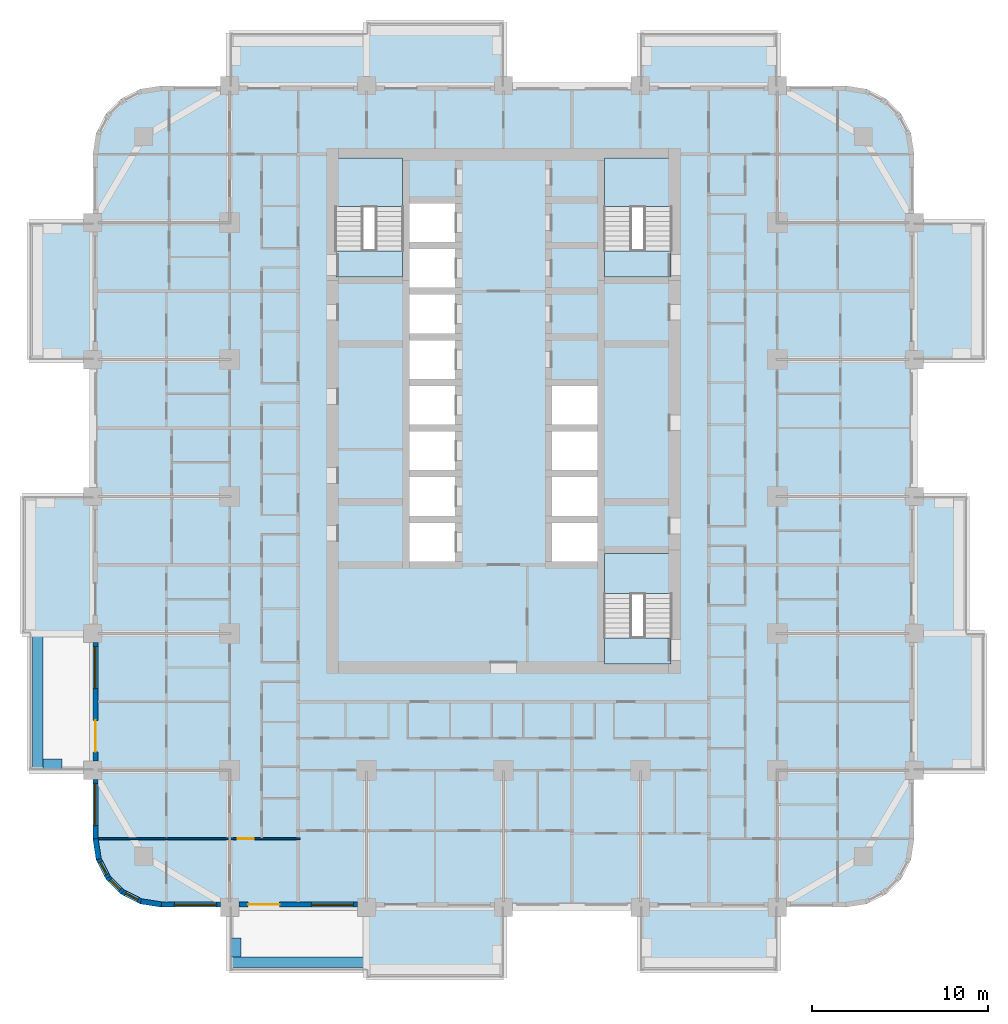
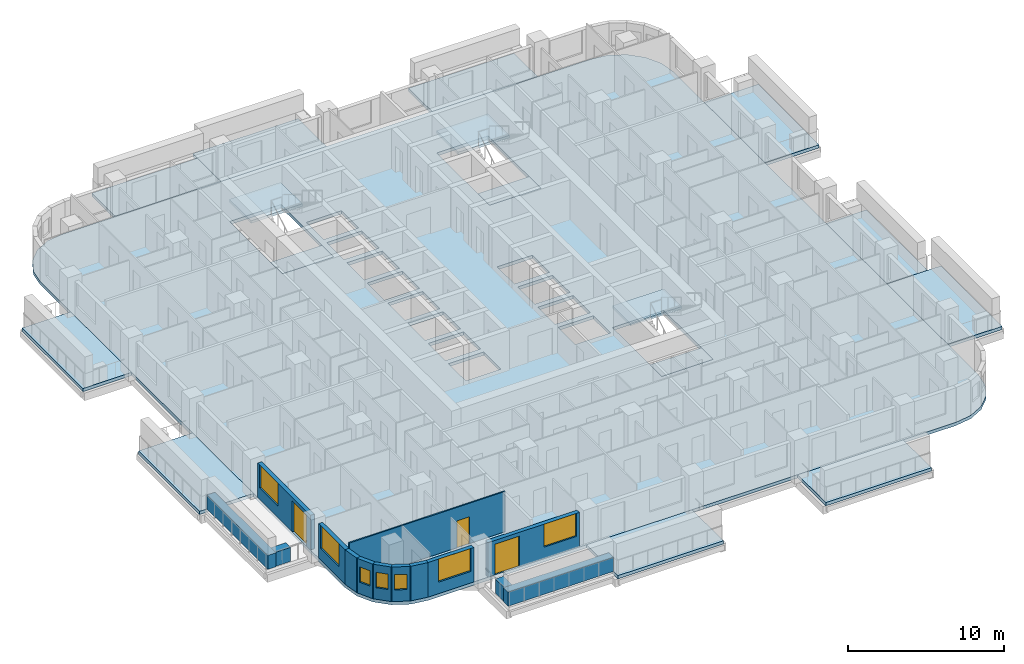
# One storey, part 2 of 17: 17 slabs, 14 walls, 7 windows, 3 doors, 10 openings, 3 elements without a shape of their own.
"""IFC4 building model written with IfcOpenShell, lengths in metres."""

from ifc_helpers import new_model, si_unit, direction, frame, frame_2d, origin, place, context, subcontext, project, spatial, polyline, rectangle, outline, extrude, material, layer, layer_set, type_object, element, fill, aggregate, save


model = new_model("IFC4")

# Units and contexts
model_context = context("Model", 3, precision=1e-05, world=origin(), true_north=direction((0.0, 1.0)))
body_context = subcontext(model_context, "Body", "Model", "MODEL_VIEW")
ifc_project = project(units=[si_unit("LENGTHUNIT", "METRE"), si_unit("AREAUNIT", "SQUARE_METRE"), si_unit("VOLUMEUNIT", "CUBIC_METRE"), si_unit("PLANEANGLEUNIT", "RADIAN"), si_unit("MASSUNIT", "GRAM", prefix="KILO")], contexts=[model_context])

# Site, building, storey
site_placement = place(None, origin())
site = spatial("IfcSite", under=ifc_project, at=site_placement, CompositionType="ELEMENT")
building_placement = place(site_placement, origin())
building = spatial("IfcBuilding", under=site, at=building_placement, Name="Ludao Terraces", CompositionType="ELEMENT")
storey_placement = place(building_placement, frame((0.0, 0.0, 22.89990234375)))
storey = spatial("IfcBuildingStorey", under=building, at=storey_placement, Name="L05", CompositionType="ELEMENT", Elevation=22.89990234375)

# Slabs
ifc_material_1 = material(Name="Concrete C40", Category="concrete")
ifc_layer_1 = layer(ifc_material_1, 0.25)
ifc_layer_set_1 = layer_set([ifc_layer_1], Name="Balcony slab 250 C40")
slab_type_1 = type_object("IfcSlabType", Name="Balcony slab 250 C40", PredefinedType="USERDEFINED", material=ifc_layer_set_1)
slab_1_placement = place(storey_placement, frame((0.0, 0.0, -0.25)))
element("IfcSlab", 1, at=slab_1_placement, inside=storey, type_object=slab_type_1, Name="Balcony L05 S2", ObjectType="BALCONY", PredefinedType="USERDEFINED", context=body_context, shape_type="SweptSolid", body=[
    extrude(outline(polyline([(77.199951171875, 37.60009765625), (85.0, 37.60009765625), (85.0, 41.60009765625), (77.199951171875, 41.60009765625), (77.199951171875, 37.60009765625)])), origin(), (0.0, 0.0, 1.0), 0.25),
])
slab_2_placement = place(storey_placement, frame((0.0, 0.0, -0.25)))
element("IfcSlab", 2, at=slab_2_placement, inside=storey, type_object=slab_type_1, Name="Balcony L05 S4", ObjectType="BALCONY", PredefinedType="USERDEFINED", context=body_context, shape_type="SweptSolid", body=[
    extrude(outline(polyline([(92.800048828125, 38.0), (100.60009765625, 38.0), (100.60009765625, 41.60009765625), (92.800048828125, 41.60009765625), (92.800048828125, 38.0)])), origin(), (0.0, 0.0, 1.0), 0.25),
])
slab_3_placement = place(storey_placement, frame((0.0, 0.0, -0.25)))
element("IfcSlab", 3, at=slab_3_placement, inside=storey, type_object=slab_type_1, Name="Balcony L05 E1", ObjectType="BALCONY", PredefinedType="USERDEFINED", context=body_context, shape_type="SweptSolid", body=[
    extrude(outline(polyline([(108.39990234375, 49.39990234375), (112.39990234375, 49.39990234375), (112.39990234375, 57.199951171875), (108.39990234375, 57.199951171875), (108.39990234375, 49.39990234375)])), origin(), (0.0, 0.0, 1.0), 0.25),
])
slab_4_placement = place(storey_placement, frame((0.0, 0.0, -0.25)))
element("IfcSlab", 4, at=slab_4_placement, inside=storey, type_object=slab_type_1, Name="Balcony L05 E2", ObjectType="BALCONY", PredefinedType="USERDEFINED", context=body_context, shape_type="SweptSolid", body=[
    extrude(outline(polyline([(108.39990234375, 57.199951171875), (111.39990234375, 57.199951171875), (111.39990234375, 65.0), (108.39990234375, 65.0), (108.39990234375, 57.199951171875)])), origin(), (0.0, 0.0, 1.0), 0.25),
])
slab_5_placement = place(storey_placement, frame((0.0, 0.0, -0.25)))
element("IfcSlab", 5, at=slab_5_placement, inside=storey, type_object=slab_type_1, Name="Balcony L05 E4", ObjectType="BALCONY", PredefinedType="USERDEFINED", context=body_context, shape_type="SweptSolid", body=[
    extrude(outline(polyline([(108.39990234375, 72.800048828125), (112.39990234375, 72.800048828125), (112.39990234375, 80.60009765625), (108.39990234375, 80.60009765625), (108.39990234375, 72.800048828125)])), origin(), (0.0, 0.0, 1.0), 0.25),
])
slab_6_placement = place(storey_placement, frame((0.0, 0.0, -0.25)))
element("IfcSlab", 6, at=slab_6_placement, inside=storey, type_object=slab_type_1, Name="Balcony L05 N1", ObjectType="BALCONY", PredefinedType="USERDEFINED", context=body_context, shape_type="SweptSolid", body=[
    extrude(outline(polyline([(69.39990234375, 88.39990234375), (77.199951171875, 88.39990234375), (77.199951171875, 91.39990234375), (69.39990234375, 91.39990234375), (69.39990234375, 88.39990234375)])), origin(), (0.0, 0.0, 1.0), 0.25),
])
slab_7_placement = place(storey_placement, frame((0.0, 0.0, -0.25)))
element("IfcSlab", 7, at=slab_7_placement, inside=storey, type_object=slab_type_1, Name="Balcony L05 N2", ObjectType="BALCONY", PredefinedType="USERDEFINED", context=body_context, shape_type="SweptSolid", body=[
    extrude(outline(polyline([(77.199951171875, 88.39990234375), (85.0, 88.39990234375), (85.0, 92.0), (77.199951171875, 92.0), (77.199951171875, 88.39990234375)])), origin(), (0.0, 0.0, 1.0), 0.25),
])
slab_8_placement = place(storey_placement, frame((0.0, 0.0, -0.25)))
element("IfcSlab", 8, at=slab_8_placement, inside=storey, type_object=slab_type_1, Name="Balcony L05 N4", ObjectType="BALCONY", PredefinedType="USERDEFINED", context=body_context, shape_type="SweptSolid", body=[
    extrude(outline(polyline([(92.800048828125, 88.39990234375), (100.60009765625, 88.39990234375), (100.60009765625, 91.39990234375), (92.800048828125, 91.39990234375), (92.800048828125, 88.39990234375)])), origin(), (0.0, 0.0, 1.0), 0.25),
])
slab_9_placement = place(storey_placement, frame((0.0, 0.0, -0.25)))
element("IfcSlab", 9, at=slab_9_placement, inside=storey, type_object=slab_type_1, Name="Balcony L05 W2", ObjectType="BALCONY", PredefinedType="USERDEFINED", context=body_context, shape_type="SweptSolid", body=[
    extrude(outline(polyline([(57.60009765625, 57.199951171875), (61.60009765625, 57.199951171875), (61.60009765625, 65.0), (57.60009765625, 65.0), (57.60009765625, 57.199951171875)])), origin(), (0.0, 0.0, 1.0), 0.25),
])
slab_10_placement = place(storey_placement, frame((0.0, 0.0, -0.25)))
element("IfcSlab", 10, at=slab_10_placement, inside=storey, type_object=slab_type_1, Name="Balcony L05 W4", ObjectType="BALCONY", PredefinedType="USERDEFINED", context=body_context, shape_type="SweptSolid", body=[
    extrude(outline(polyline([(58.0, 72.800048828125), (61.60009765625, 72.800048828125), (61.60009765625, 80.60009765625), (58.0, 80.60009765625), (58.0, 72.800048828125)])), origin(), (0.0, 0.0, 1.0), 0.25),
])
ifc_layer_2 = layer(ifc_material_1, 0.25)
ifc_layer_set_2 = layer_set([ifc_layer_2], Name="Floor slab 250 C40")
slab_type_2 = type_object("IfcSlabType", Name="Floor slab 250 C40", PredefinedType="FLOOR", material=ifc_layer_set_2)
slab_11_placement = place(storey_placement, frame((0.0, 0.0, -0.25)))
element("IfcSlab", 11, at=slab_11_placement, inside=storey, type_object=slab_type_2, Name="Slab L05", PredefinedType="FLOOR", context=body_context, shape_type="SweptSolid", body=[
    extrude(outline(polyline([(104.5, 41.60009765625), (105.705078125, 41.790771484375), (106.79248046875, 42.3447265625), (107.6552734375, 43.20751953125), (108.209228515625, 44.294921875), (108.39990234375, 45.5), (108.39990234375, 84.5), (108.209228515625, 85.705078125), (107.6552734375, 86.79248046875), (106.79248046875, 87.6552734375), (105.705078125, 88.209228515625), (104.5, 88.39990234375), (65.5, 88.39990234375), (64.294921875, 88.209228515625), (63.20751953125, 87.6552734375), (62.3447265625, 86.79248046875), (61.790771484375, 85.705078125), (61.60009765625, 84.5), (61.60009765625, 45.5), (61.790771484375, 44.294921875), (62.3447265625, 43.20751953125), (63.20751953125, 42.3447265625), (64.294921875, 41.790771484375), (65.5, 41.60009765625), (104.5, 41.60009765625)]), holes=[polyline([(79.64990234375, 61.300048828125), (82.25, 61.300048828125), (82.25, 63.5), (79.64990234375, 63.5), (79.64990234375, 61.300048828125)]), polyline([(79.64990234375, 63.89990234375), (82.25, 63.89990234375), (82.25, 66.10009765625), (79.64990234375, 66.10009765625), (79.64990234375, 63.89990234375)]), polyline([(79.64990234375, 66.5), (82.25, 66.5), (82.25, 68.699951171875), (79.64990234375, 68.699951171875), (79.64990234375, 66.5)]), polyline([(79.64990234375, 69.10009765625), (82.25, 69.10009765625), (82.25, 71.300048828125), (79.64990234375, 71.300048828125), (79.64990234375, 69.10009765625)]), polyline([(79.64990234375, 71.699951171875), (82.25, 71.699951171875), (82.25, 73.89990234375), (79.64990234375, 73.89990234375), (79.64990234375, 71.699951171875)]), polyline([(79.64990234375, 74.300048828125), (82.25, 74.300048828125), (82.25, 76.5), (79.64990234375, 76.5), (79.64990234375, 74.300048828125)]), polyline([(79.64990234375, 76.89990234375), (82.25, 76.89990234375), (82.25, 79.10009765625), (79.64990234375, 79.10009765625), (79.64990234375, 76.89990234375)]), polyline([(79.64990234375, 79.5), (82.25, 79.5), (82.25, 81.699951171875), (79.64990234375, 81.699951171875), (79.64990234375, 79.5)]), polyline([(87.75, 61.300048828125), (90.35009765625, 61.300048828125), (90.35009765625, 63.5), (87.75, 63.5), (87.75, 61.300048828125)]), polyline([(87.75, 63.89990234375), (90.35009765625, 63.89990234375), (90.35009765625, 66.10009765625), (87.75, 66.10009765625), (87.75, 63.89990234375)]), polyline([(87.75, 66.5), (90.35009765625, 66.5), (90.35009765625, 68.699951171875), (87.75, 68.699951171875), (87.75, 66.5)]), polyline([(87.75, 69.10009765625), (90.35009765625, 69.10009765625), (90.35009765625, 71.300048828125), (87.75, 71.300048828125), (87.75, 69.10009765625)]), polyline([(75.449951171875, 77.5), (79.25, 77.5), (79.25, 84.239990234375), (75.449951171875, 84.239990234375), (75.449951171875, 77.5)]), polyline([(90.75, 77.5), (94.550048828125, 77.5), (94.550048828125, 84.239990234375), (90.75, 84.239990234375), (90.75, 77.5)]), polyline([(90.75, 55.449951171875), (94.550048828125, 55.449951171875), (94.550048828125, 61.75), (90.75, 61.75), (90.75, 55.449951171875)])]), origin(), (0.0, 0.0, 1.0), 0.25),
])

# Stair, slabs
stair_type = type_object("IfcStairType", Name="INT Stair", PredefinedType="HALF_TURN_STAIR", material=ifc_material_1)
stair_1_placement = place(storey_placement, origin())
stair_1 = element("IfcStair", 12, at=stair_1_placement, inside=storey, type_object=stair_type, Name="EXIT STAIR 1", PredefinedType="HALF_TURN_STAIR")
ifc_layer_3 = layer(ifc_material_1, 0.199951171875)
ifc_layer_set_3 = layer_set([ifc_layer_3], Name="INT Stair landing 200")
slab_type_3 = type_object("IfcSlabType", Name="INT Stair landing 200", PredefinedType="LANDING", material=ifc_layer_set_3)
slab_12_placement = place(storey_placement, frame((0.0, 0.0, 1.5)))
slab_12 = element("IfcSlab", 13, at=slab_12_placement, type_object=slab_type_3, Name="ST1 landing 1", PredefinedType="LANDING", context=body_context, shape_type="SweptSolid", body=[
    extrude(outline(polyline([(75.449951171875, 81.52001953125), (79.25, 81.52001953125), (79.25, 84.300048828125), (75.449951171875, 84.300048828125), (75.449951171875, 81.52001953125)])), origin(), (0.0, 0.0, 1.0), 0.2001953125),
])
slab_13_placement = place(storey_placement, frame((0.0, 0.0, -0.199951171875)))
slab_13 = element("IfcSlab", 14, at=slab_13_placement, type_object=slab_type_3, Name="ST1 landing 2", PredefinedType="LANDING", context=body_context, shape_type="SweptSolid", body=[
    extrude(outline(polyline([(75.449951171875, 77.5), (79.25, 77.5), (79.25, 79.0), (75.449951171875, 79.0), (75.449951171875, 77.5)])), origin(), (0.0, 0.0, 1.0), 0.199951171875),
])
aggregate(stair_1, [slab_12, slab_13])

stair_2_placement = place(storey_placement, origin())
stair_2 = element("IfcStair", 15, at=stair_2_placement, inside=storey, type_object=stair_type, Name="EXIT STAIR 2", PredefinedType="HALF_TURN_STAIR")
slab_14_placement = place(storey_placement, frame((0.0, 0.0, 1.5)))
slab_14 = element("IfcSlab", 16, at=slab_14_placement, type_object=slab_type_3, Name="ST2 landing 1", PredefinedType="LANDING", context=body_context, shape_type="SweptSolid", body=[
    extrude(outline(polyline([(90.75, 81.52001953125), (94.550048828125, 81.52001953125), (94.550048828125, 84.300048828125), (90.75, 84.300048828125), (90.75, 81.52001953125)])), origin(), (0.0, 0.0, 1.0), 0.2001953125),
])
slab_15_placement = place(storey_placement, frame((0.0, 0.0, -0.199951171875)))
slab_15 = element("IfcSlab", 17, at=slab_15_placement, type_object=slab_type_3, Name="ST2 landing 2", PredefinedType="LANDING", context=body_context, shape_type="SweptSolid", body=[
    extrude(outline(polyline([(90.75, 77.5), (94.550048828125, 77.5), (94.550048828125, 79.0), (90.75, 79.0), (90.75, 77.5)])), origin(), (0.0, 0.0, 1.0), 0.199951171875),
])
aggregate(stair_2, [slab_14, slab_15])

stair_3_placement = place(storey_placement, origin())
stair_3 = element("IfcStair", 18, at=stair_3_placement, inside=storey, type_object=stair_type, Name="EXIT STAIR 3", PredefinedType="HALF_TURN_STAIR")
slab_16_placement = place(storey_placement, frame((0.0, 0.0, 1.5)))
slab_16 = element("IfcSlab", 19, at=slab_16_placement, type_object=slab_type_3, Name="ST3 landing 1", PredefinedType="LANDING", context=body_context, shape_type="SweptSolid", body=[
    extrude(outline(polyline([(90.75, 59.469970703125), (94.550048828125, 59.469970703125), (94.550048828125, 61.75), (90.75, 61.75), (90.75, 59.469970703125)])), origin(), (0.0, 0.0, 1.0), 0.2001953125),
])
slab_17_placement = place(storey_placement, frame((0.0, 0.0, -0.199951171875)))
slab_17 = element("IfcSlab", 20, at=slab_17_placement, type_object=slab_type_3, Name="ST3 landing 2", PredefinedType="LANDING", context=body_context, shape_type="SweptSolid", body=[
    extrude(outline(polyline([(90.75, 55.449951171875), (94.550048828125, 55.449951171875), (94.550048828125, 56.949951171875), (90.75, 56.949951171875), (90.75, 55.449951171875)])), origin(), (0.0, 0.0, 1.0), 0.199951171875),
])
aggregate(stair_3, [slab_16, slab_17])

# Walls
ifc_layer_4 = layer(ifc_material_1, 0.60009765625)
ifc_layer_set_4 = layer_set([ifc_layer_4], Name="ENV Planter trough 600")
wall_type_1 = type_object("IfcWallType", Name="ENV Planter trough 600", PredefinedType="USERDEFINED", material=ifc_layer_set_4)
wall_1_placement = place(storey_placement, frame((69.39990234375, 38.449951171875, 0.0), z_axis=(0.0, 0.0, 1.0), x_axis=(1.0, 0.0, 0.0)))
element("IfcWall", 21, at=wall_1_placement, inside=storey, type_object=wall_type_1, Name="PL-L05-S1", ObjectType="PLANTER", PredefinedType="USERDEFINED", context=body_context, shape_type="SweptSolid", body=[
    extrude(rectangle(XDim=7.800048828125, YDim=0.60009765625, at=frame_2d((3.89990234375, 0.0))), origin(), (0.0, 0.0, 1.0), 1.10009765625),
])
wall_2_placement = place(storey_placement, frame((69.75, 38.75, 0.0), z_axis=(0.0, 0.0, 1.0), x_axis=(0.0, 1.0, 0.0)))
element("IfcWall", 22, at=wall_2_placement, inside=storey, type_object=wall_type_1, Name="PL-L05-S1-SA", ObjectType="PLANTER", PredefinedType="USERDEFINED", context=body_context, shape_type="SweptSolid", body=[
    extrude(rectangle(XDim=1.10009765625, YDim=0.60009765625, at=frame_2d((0.550048828125, 0.0))), origin(), (0.0, 0.0, 1.0), 1.10009765625),
])
wall_3_placement = place(storey_placement, frame((58.449951171875, 49.39990234375, 0.0), z_axis=(0.0, 0.0, 1.0), x_axis=(0.0, 1.0, 0.0)))
element("IfcWall", 23, at=wall_3_placement, inside=storey, type_object=wall_type_1, Name="PL-L05-W1", ObjectType="PLANTER", PredefinedType="USERDEFINED", context=body_context, shape_type="SweptSolid", body=[
    extrude(rectangle(XDim=7.800048828125, YDim=0.60009765625, at=frame_2d((3.89990234375, 0.0))), origin(), (0.0, 0.0, 1.0), 1.10009765625),
])
wall_4_placement = place(storey_placement, frame((58.75, 49.75, 0.0), z_axis=(0.0, 0.0, 1.0), x_axis=(1.0, 0.0, 0.0)))
element("IfcWall", 24, at=wall_4_placement, inside=storey, type_object=wall_type_1, Name="PL-L05-W1-SA", ObjectType="PLANTER", PredefinedType="USERDEFINED", context=body_context, shape_type="SweptSolid", body=[
    extrude(rectangle(XDim=1.10009765625, YDim=0.60009765625, at=frame_2d((0.550048828125, 0.0))), origin(), (0.0, 0.0, 1.0), 1.10009765625),
])

# Wall, opening, window
ifc_material_2 = material(Name="Granite cladding", Category="masonry")
ifc_layer_5 = layer(ifc_material_2, 0.0400390625, Category="stone")
ifc_material_3 = material(Name="Mineral wool")
ifc_layer_6 = layer(ifc_material_3, 0.06005859375)
ifc_layer_7 = layer(ifc_material_1, 0.199951171875, Category="concrete")
ifc_layer_set_5 = layer_set([ifc_layer_5, ifc_layer_6, ifc_layer_7], Name="ENV Stone-clad wall 300")
wall_type_2 = type_object("IfcWallType", Name="ENV Stone-clad wall 300", PredefinedType="SOLIDWALL", material=ifc_layer_set_5)
wall_5_placement = place(storey_placement, frame((65.5, 41.75, 0.0), z_axis=(0.0, 0.0, 1.0), x_axis=(1.0, 0.0, 0.0)))
wall_5 = element("IfcWall", 25, at=wall_5_placement, inside=storey, type_object=wall_type_2, Name="EW-L05-S1", PredefinedType="SOLIDWALL", context=body_context, shape_type="SweptSolid", body=[
    extrude(rectangle(XDim=3.375, YDim=0.300048828125, at=frame_2d((1.6875, 0.0))), origin(), (0.0, 0.0, 1.0), 2.7001953125),
])
opening_1_placement = place(wall_5_placement, frame((0.75, 0.0, 0.89990234375)))
opening_1 = element("IfcOpeningElement", 26, at=opening_1_placement, cuts=wall_5, Name="Opening W1", PredefinedType="OPENING", context=body_context, shape_type="SweptSolid", body=[
    extrude(rectangle(XDim=2.39990234375, YDim=1.800048828125, at=frame_2d((1.199951171875, 0.89990234375))), frame((0.0, 0.16015625, 0.0), z_axis=(0.0, -1.0, 0.0), x_axis=(1.0, 0.0, 0.0)), (0.0, 0.0, 1.0), 0.320068359375),
])
ifc_material_4 = material(Name="Clear glass in aluminium frame", Category="aluminium")
ifc_layer_8 = layer(ifc_material_4, 0.06005859375)
ifc_layer_set_6 = layer_set([ifc_layer_8], Name="ENV Window W1 2400x1800")
window_type_1 = type_object("IfcWindowType", Name="ENV Window W1 2400x1800", PartitioningType="DOUBLE_PANEL_VERTICAL", PredefinedType="WINDOW", material=ifc_layer_set_6)
window_1_placement = place(opening_1_placement, origin())
window_1 = element("IfcWindow", 27, at=window_1_placement, inside=storey, type_object=window_type_1, Name="W-L05-S1-1", OverallHeight=1.800048828125, OverallWidth=2.39990234375, PartitioningType="DOUBLE_PANEL_VERTICAL", PredefinedType="WINDOW", context=body_context, shape_type="SweptSolid", body=[
    extrude(rectangle(XDim=2.39990234375, YDim=1.800048828125, at=frame_2d((1.199951171875, 0.89990234375))), frame((0.0, 0.030029296875, 0.0), z_axis=(0.0, -1.0, 0.0), x_axis=(1.0, 0.0, 0.0)), (0.0, 0.0, 1.0), 0.06005859375),
])
fill(opening_1, window_1)

# Wall, openings, door, window
wall_6_placement = place(storey_placement, frame((69.925048828125, 41.75, 0.0), z_axis=(0.0, 0.0, 1.0), x_axis=(1.0, 0.0, 0.0)))
wall_6 = element("IfcWall", 28, at=wall_6_placement, inside=storey, type_object=wall_type_2, Name="EW-L05-S2", PredefinedType="SOLIDWALL", context=body_context, shape_type="SweptSolid", body=[
    extrude(rectangle(XDim=6.75, YDim=0.300048828125, at=frame_2d((3.375, 0.0))), origin(), (0.0, 0.0, 1.0), 2.7001953125),
])
opening_2_placement = place(wall_6_placement, frame((0.52490234375, 0.0, 0.0)))
opening_2 = element("IfcOpeningElement", 29, at=opening_2_placement, cuts=wall_6, Name="Opening BD", PredefinedType="OPENING", context=body_context, shape_type="SweptSolid", body=[
    extrude(rectangle(XDim=1.800048828125, YDim=2.39990234375, at=frame_2d((0.89990234375, 1.199951171875))), frame((0.0, 0.16015625, 0.0), z_axis=(0.0, -1.0, 0.0), x_axis=(1.0, 0.0, 0.0)), (0.0, 0.0, 1.0), 0.320068359375),
])
opening_3_placement = place(wall_6_placement, frame((4.125, 0.0, 0.89990234375)))
opening_3 = element("IfcOpeningElement", 30, at=opening_3_placement, cuts=wall_6, Name="Opening W1", PredefinedType="OPENING", context=body_context, shape_type="SweptSolid", body=[
    extrude(rectangle(XDim=2.39990234375, YDim=1.800048828125, at=frame_2d((1.199951171875, 0.89990234375))), frame((0.0, 0.16015625, 0.0), z_axis=(0.0, -1.0, 0.0), x_axis=(1.0, 0.0, 0.0)), (0.0, 0.0, 1.0), 0.320068359375),
])
ifc_material_5 = material(Name="Aluminium glazed door", Category="aluminium")
ifc_layer_9 = layer(ifc_material_5, 0.06005859375)
ifc_layer_set_7 = layer_set([ifc_layer_9], Name="ENV Balcony door BD 1800x2400")
door_type_1 = type_object("IfcDoorType", Name="ENV Balcony door BD 1800x2400", OperationType="DOUBLE_DOOR_SINGLE_SWING", PredefinedType="DOOR", material=ifc_layer_set_7)
door_1_placement = place(opening_2_placement, origin())
door_1 = element("IfcDoor", 31, at=door_1_placement, inside=storey, type_object=door_type_1, Name="BD-L05-S2-1", OperationType="DOUBLE_DOOR_SINGLE_SWING", OverallHeight=2.39990234375, OverallWidth=1.800048828125, PredefinedType="DOOR", context=body_context, shape_type="SweptSolid", body=[
    extrude(rectangle(XDim=1.800048828125, YDim=2.39990234375, at=frame_2d((0.89990234375, 1.199951171875))), frame((0.0, 0.02490234375, 0.0), z_axis=(0.0, -1.0, 0.0), x_axis=(1.0, 0.0, 0.0)), (0.0, 0.0, 1.0), 0.050048828125),
])
fill(opening_2, door_1)
window_2_placement = place(opening_3_placement, origin())
window_2 = element("IfcWindow", 32, at=window_2_placement, inside=storey, type_object=window_type_1, Name="W-L05-S2-2", OverallHeight=1.800048828125, OverallWidth=2.39990234375, PartitioningType="DOUBLE_PANEL_VERTICAL", PredefinedType="WINDOW", context=body_context, shape_type="SweptSolid", body=[
    extrude(rectangle(XDim=2.39990234375, YDim=1.800048828125, at=frame_2d((1.199951171875, 0.89990234375))), frame((0.0, 0.030029296875, 0.0), z_axis=(0.0, -1.0, 0.0), x_axis=(1.0, 0.0, 0.0)), (0.0, 0.0, 1.0), 0.06005859375),
])
fill(opening_3, window_2)

# Wall, opening, window
wall_7_placement = place(storey_placement, frame((61.75, 45.5, 0.0), z_axis=(0.0, 0.0, 1.0), x_axis=(0.0, 1.0, 0.0)))
wall_7 = element("IfcWall", 33, at=wall_7_placement, inside=storey, type_object=wall_type_2, Name="EW-L05-W1", PredefinedType="SOLIDWALL", context=body_context, shape_type="SweptSolid", body=[
    extrude(rectangle(XDim=3.375, YDim=0.300048828125, at=frame_2d((1.6875, 0.0))), origin(), (0.0, 0.0, 1.0), 2.7001953125),
])
opening_4_placement = place(wall_7_placement, frame((0.75, 0.0, 0.89990234375)))
opening_4 = element("IfcOpeningElement", 34, at=opening_4_placement, cuts=wall_7, Name="Opening W1", PredefinedType="OPENING", context=body_context, shape_type="SweptSolid", body=[
    extrude(rectangle(XDim=2.39990234375, YDim=1.800048828125, at=frame_2d((1.199951171875, 0.89990234375))), frame((0.0, 0.16015625, 0.0), z_axis=(0.0, -1.0, 0.0), x_axis=(1.0, 0.0, 0.0)), (0.0, 0.0, 1.0), 0.320068359375),
])
window_3_placement = place(opening_4_placement, origin())
window_3 = element("IfcWindow", 35, at=window_3_placement, inside=storey, type_object=window_type_1, Name="W-L05-W1-1", OverallHeight=1.800048828125, OverallWidth=2.39990234375, PartitioningType="DOUBLE_PANEL_VERTICAL", PredefinedType="WINDOW", context=body_context, shape_type="SweptSolid", body=[
    extrude(rectangle(XDim=2.39990234375, YDim=1.800048828125, at=frame_2d((1.199951171875, 0.89990234375))), frame((0.0, 0.030029296875, 0.0), z_axis=(0.0, -1.0, 0.0), x_axis=(1.0, 0.0, 0.0)), (0.0, 0.0, 1.0), 0.06005859375),
])
fill(opening_4, window_3)

# Wall, openings, door, window
wall_8_placement = place(storey_placement, frame((61.75, 49.925048828125, 0.0), z_axis=(0.0, 0.0, 1.0), x_axis=(0.0, 1.0, 0.0)))
wall_8 = element("IfcWall", 36, at=wall_8_placement, inside=storey, type_object=wall_type_2, Name="EW-L05-W2", PredefinedType="SOLIDWALL", context=body_context, shape_type="SweptSolid", body=[
    extrude(rectangle(XDim=6.75, YDim=0.300048828125, at=frame_2d((3.375, 0.0))), origin(), (0.0, 0.0, 1.0), 2.7001953125),
])
opening_5_placement = place(wall_8_placement, frame((0.52490234375, 0.0, 0.0)))
opening_5 = element("IfcOpeningElement", 37, at=opening_5_placement, cuts=wall_8, Name="Opening BD", PredefinedType="OPENING", context=body_context, shape_type="SweptSolid", body=[
    extrude(rectangle(XDim=1.800048828125, YDim=2.39990234375, at=frame_2d((0.89990234375, 1.199951171875))), frame((0.0, 0.16015625, 0.0), z_axis=(0.0, -1.0, 0.0), x_axis=(1.0, 0.0, 0.0)), (0.0, 0.0, 1.0), 0.320068359375),
])
opening_6_placement = place(wall_8_placement, frame((4.125, 0.0, 0.89990234375)))
opening_6 = element("IfcOpeningElement", 38, at=opening_6_placement, cuts=wall_8, Name="Opening W1", PredefinedType="OPENING", context=body_context, shape_type="SweptSolid", body=[
    extrude(rectangle(XDim=2.39990234375, YDim=1.800048828125, at=frame_2d((1.199951171875, 0.89990234375))), frame((0.0, 0.16015625, 0.0), z_axis=(0.0, -1.0, 0.0), x_axis=(1.0, 0.0, 0.0)), (0.0, 0.0, 1.0), 0.320068359375),
])
door_2_placement = place(opening_5_placement, origin())
door_2 = element("IfcDoor", 39, at=door_2_placement, inside=storey, type_object=door_type_1, Name="BD-L05-W2-1", OperationType="DOUBLE_DOOR_SINGLE_SWING", OverallHeight=2.39990234375, OverallWidth=1.800048828125, PredefinedType="DOOR", context=body_context, shape_type="SweptSolid", body=[
    extrude(rectangle(XDim=1.800048828125, YDim=2.39990234375, at=frame_2d((0.89990234375, 1.199951171875))), frame((0.0, 0.02490234375, 0.0), z_axis=(0.0, -1.0, 0.0), x_axis=(1.0, 0.0, 0.0)), (0.0, 0.0, 1.0), 0.050048828125),
])
fill(opening_5, door_2)
window_4_placement = place(opening_6_placement, origin())
window_4 = element("IfcWindow", 40, at=window_4_placement, inside=storey, type_object=window_type_1, Name="W-L05-W2-2", OverallHeight=1.800048828125, OverallWidth=2.39990234375, PartitioningType="DOUBLE_PANEL_VERTICAL", PredefinedType="WINDOW", context=body_context, shape_type="SweptSolid", body=[
    extrude(rectangle(XDim=2.39990234375, YDim=1.800048828125, at=frame_2d((1.199951171875, 0.89990234375))), frame((0.0, 0.030029296875, 0.0), z_axis=(0.0, -1.0, 0.0), x_axis=(1.0, 0.0, 0.0)), (0.0, 0.0, 1.0), 0.06005859375),
])
fill(opening_6, window_4)

# Wall
wall_9_placement = place(storey_placement, frame((61.75, 45.5, 0.0), z_axis=(0.0, 0.0, 1.0), x_axis=(0.156496880861, -0.987678452879, 0.0)))
element("IfcWall", 41, at=wall_9_placement, inside=storey, type_object=wall_type_2, Name="EW-L05-SW1", PredefinedType="SOLIDWALL", context=body_context, shape_type="SweptSolid", body=[
    extrude(rectangle(XDim=1.173095703125, YDim=0.300048828125, at=frame_2d((0.58642578125, 0.0))), origin(), (0.0, 0.0, 1.0), 2.7001953125),
])

# Wall, opening, window
wall_10_placement = place(storey_placement, frame((61.93359375, 44.34130859375, 0.0), z_axis=(0.0, 0.0, 1.0), x_axis=(0.454025524128, -0.890988677504, 0.0)))
wall_10 = element("IfcWall", 42, at=wall_10_placement, inside=storey, type_object=wall_type_2, Name="EW-L05-SW2", PredefinedType="SOLIDWALL", context=body_context, shape_type="SweptSolid", body=[
    extrude(rectangle(XDim=1.17333984375, YDim=0.300048828125, at=frame_2d((0.586669921875, 0.0))), origin(), (0.0, 0.0, 1.0), 2.7001953125),
])
opening_7_placement = place(wall_10_placement, frame((0.1865234375, 0.0, 0.89990234375)))
opening_7 = element("IfcOpeningElement", 43, at=opening_7_placement, cuts=wall_10, Name="Opening W3", PredefinedType="OPENING", context=body_context, shape_type="SweptSolid", body=[
    extrude(rectangle(XDim=0.800048828125, YDim=1.199951171875, at=frame_2d((0.39990234375, 0.60009765625))), frame((0.0, 0.16015625, 0.0), z_axis=(0.0, -1.0, 0.0), x_axis=(1.0, 0.0, 0.0)), (0.0, 0.0, 1.0), 0.320068359375),
])
ifc_layer_10 = layer(ifc_material_4, 0.06005859375)
ifc_layer_set_8 = layer_set([ifc_layer_10], Name="ENV Window W3 800x1200")
window_type_2 = type_object("IfcWindowType", Name="ENV Window W3 800x1200", PartitioningType="SINGLE_PANEL", PredefinedType="WINDOW", material=ifc_layer_set_8)
window_5_placement = place(opening_7_placement, origin())
window_5 = element("IfcWindow", 44, at=window_5_placement, inside=storey, type_object=window_type_2, Name="W-L05-SW2", OverallHeight=1.199951171875, OverallWidth=0.800048828125, PartitioningType="SINGLE_PANEL", PredefinedType="WINDOW", context=body_context, shape_type="SweptSolid", body=[
    extrude(rectangle(XDim=0.800048828125, YDim=1.199951171875, at=frame_2d((0.39990234375, 0.60009765625))), frame((0.0, 0.030029296875, 0.0), z_axis=(0.0, -1.0, 0.0), x_axis=(1.0, 0.0, 0.0)), (0.0, 0.0, 1.0), 0.06005859375),
])
fill(opening_7, window_5)

wall_11_placement = place(storey_placement, frame((62.46630859375, 43.2958984375, 0.0), z_axis=(0.0, 0.0, 1.0), x_axis=(0.707106781187, -0.707106781187, 0.0)))
wall_11 = element("IfcWall", 45, at=wall_11_placement, inside=storey, type_object=wall_type_2, Name="EW-L05-SW3", PredefinedType="SOLIDWALL", context=body_context, shape_type="SweptSolid", body=[
    extrude(rectangle(XDim=1.173095703125, YDim=0.300048828125, at=frame_2d((0.58642578125, 0.0))), origin(), (0.0, 0.0, 1.0), 2.7001953125),
])
opening_8_placement = place(wall_11_placement, frame((0.1865234375, 0.0, 0.89990234375)))
opening_8 = element("IfcOpeningElement", 46, at=opening_8_placement, cuts=wall_11, Name="Opening W3", PredefinedType="OPENING", context=body_context, shape_type="SweptSolid", body=[
    extrude(rectangle(XDim=0.800048828125, YDim=1.199951171875, at=frame_2d((0.39990234375, 0.60009765625))), frame((0.0, 0.16015625, 0.0), z_axis=(0.0, -1.0, 0.0), x_axis=(1.0, 0.0, 0.0)), (0.0, 0.0, 1.0), 0.320068359375),
])
window_6_placement = place(opening_8_placement, origin())
window_6 = element("IfcWindow", 47, at=window_6_placement, inside=storey, type_object=window_type_2, Name="W-L05-SW3", OverallHeight=1.199951171875, OverallWidth=0.800048828125, PartitioningType="SINGLE_PANEL", PredefinedType="WINDOW", context=body_context, shape_type="SweptSolid", body=[
    extrude(rectangle(XDim=0.800048828125, YDim=1.199951171875, at=frame_2d((0.39990234375, 0.60009765625))), frame((0.0, 0.030029296875, 0.0), z_axis=(0.0, -1.0, 0.0), x_axis=(1.0, 0.0, 0.0)), (0.0, 0.0, 1.0), 0.06005859375),
])
fill(opening_8, window_6)

wall_12_placement = place(storey_placement, frame((63.2958984375, 42.46630859375, 0.0), z_axis=(0.0, 0.0, 1.0), x_axis=(0.890988677504, -0.454025524128, 0.0)))
wall_12 = element("IfcWall", 48, at=wall_12_placement, inside=storey, type_object=wall_type_2, Name="EW-L05-SW4", PredefinedType="SOLIDWALL", context=body_context, shape_type="SweptSolid", body=[
    extrude(rectangle(XDim=1.17333984375, YDim=0.300048828125, at=frame_2d((0.586669921875, 0.0))), origin(), (0.0, 0.0, 1.0), 2.7001953125),
])
opening_9_placement = place(wall_12_placement, frame((0.1865234375, 0.0, 0.89990234375)))
opening_9 = element("IfcOpeningElement", 49, at=opening_9_placement, cuts=wall_12, Name="Opening W3", PredefinedType="OPENING", context=body_context, shape_type="SweptSolid", body=[
    extrude(rectangle(XDim=0.800048828125, YDim=1.199951171875, at=frame_2d((0.39990234375, 0.60009765625))), frame((0.0, 0.16015625, 0.0), z_axis=(0.0, -1.0, 0.0), x_axis=(1.0, 0.0, 0.0)), (0.0, 0.0, 1.0), 0.320068359375),
])
window_7_placement = place(opening_9_placement, origin())
window_7 = element("IfcWindow", 50, at=window_7_placement, inside=storey, type_object=window_type_2, Name="W-L05-SW4", OverallHeight=1.199951171875, OverallWidth=0.800048828125, PartitioningType="SINGLE_PANEL", PredefinedType="WINDOW", context=body_context, shape_type="SweptSolid", body=[
    extrude(rectangle(XDim=0.800048828125, YDim=1.199951171875, at=frame_2d((0.39990234375, 0.60009765625))), frame((0.0, 0.030029296875, 0.0), z_axis=(0.0, -1.0, 0.0), x_axis=(1.0, 0.0, 0.0)), (0.0, 0.0, 1.0), 0.06005859375),
])
fill(opening_9, window_7)

# Wall
wall_13_placement = place(storey_placement, frame((64.34130859375, 41.93359375, 0.0), z_axis=(0.0, 0.0, 1.0), x_axis=(0.987678452879, -0.156496880861, 0.0)))
element("IfcWall", 51, at=wall_13_placement, inside=storey, type_object=wall_type_2, Name="EW-L05-SW5", PredefinedType="SOLIDWALL", context=body_context, shape_type="SweptSolid", body=[
    extrude(rectangle(XDim=1.173095703125, YDim=0.300048828125, at=frame_2d((0.58642578125, 0.0))), origin(), (0.0, 0.0, 1.0), 2.7001953125),
])

# Wall, opening, door
ifc_material_6 = material(Name="Gypsum plasterboard", Category="gypsum")
ifc_layer_11 = layer(ifc_material_6, 0.012451171875, Category="gypsum")
ifc_layer_12 = layer(ifc_material_3, 0.06005859375, Name="insulation")
ifc_material_7 = material(Name="Steel Q235", Category="steel")
ifc_layer_13 = layer(ifc_material_7, 0.014892578125, Name="stud")
ifc_layer_14 = layer(ifc_material_6, 0.012451171875, Category="gypsum")
ifc_layer_set_9 = layer_set([ifc_layer_11, ifc_layer_12, ifc_layer_13, ifc_layer_14], Name="INT Partition 100")
wall_type_3 = type_object("IfcWallType", Name="INT Partition 100", PredefinedType="PARTITIONING", material=ifc_layer_set_9)
wall_14_placement = place(storey_placement, frame((61.900146484375, 45.5, 0.0), z_axis=(0.0, 0.0, 1.0), x_axis=(1.0, 0.0, 0.0)))
wall_14 = element("IfcWall", 52, at=wall_14_placement, inside=storey, type_object=wall_type_3, Name="PW-L05-PW000", PredefinedType="PARTITIONING", context=body_context, shape_type="SweptSolid", body=[
    extrude(rectangle(XDim=11.5, YDim=0.10009765625, at=frame_2d((5.75, 0.0))), origin(), (0.0, 0.0, 1.0), 3.150146484375),
])
opening_10_placement = place(wall_14_placement, frame((7.965087890625, 0.0, 0.0)))
opening_10 = element("IfcOpeningElement", 53, at=opening_10_placement, cuts=wall_14, Name="Opening R01-005", PredefinedType="OPENING", context=body_context, shape_type="SweptSolid", body=[
    extrude(rectangle(XDim=0.89990234375, YDim=2.10009765625, at=frame_2d((0.449951171875, 1.050048828125))), frame((0.0, 0.06005859375, 0.0), z_axis=(0.0, -1.0, 0.0), x_axis=(1.0, 0.0, 0.0)), (0.0, 0.0, 1.0), 0.1201171875),
])
ifc_material_8 = material(Name="Timber door leaf", Category="wood")
door_type_2 = type_object("IfcDoorType", Name="INT Room door 900", OperationType="SINGLE_SWING_LEFT", PredefinedType="DOOR", material=ifc_material_8)
door_3_placement = place(opening_10_placement, origin())
door_3 = element("IfcDoor", 54, at=door_3_placement, inside=storey, type_object=door_type_2, Name="DOOR 005", OperationType="SINGLE_SWING_RIGHT", OverallHeight=2.10009765625, OverallWidth=0.89990234375, PredefinedType="DOOR", context=body_context, shape_type="SweptSolid", body=[
    extrude(rectangle(XDim=0.89990234375, YDim=2.10009765625, at=frame_2d((0.449951171875, 1.050048828125))), frame((0.0, 0.02490234375, 0.0), z_axis=(0.0, -1.0, 0.0), x_axis=(1.0, 0.0, 0.0)), (0.0, 0.0, 1.0), 0.050048828125),
])
fill(opening_10, door_3)

save(model, "model.ifc")
